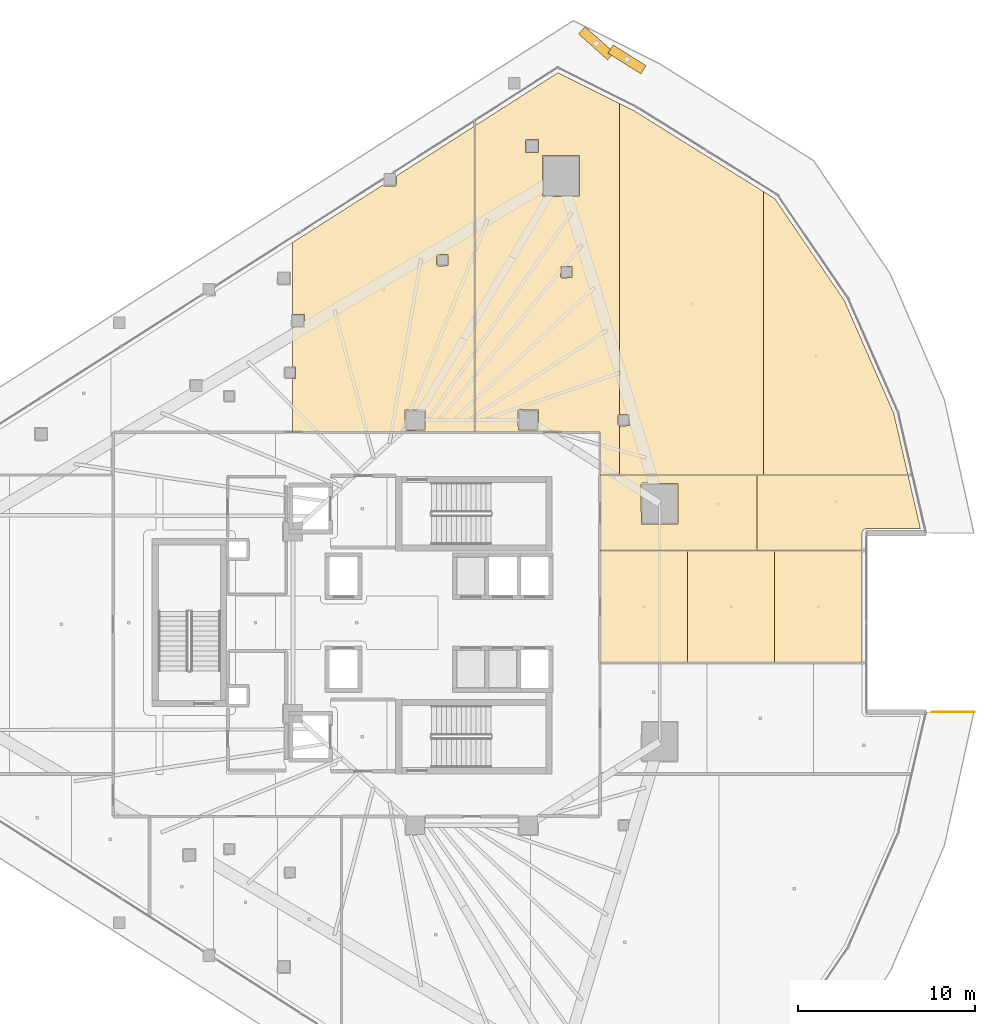
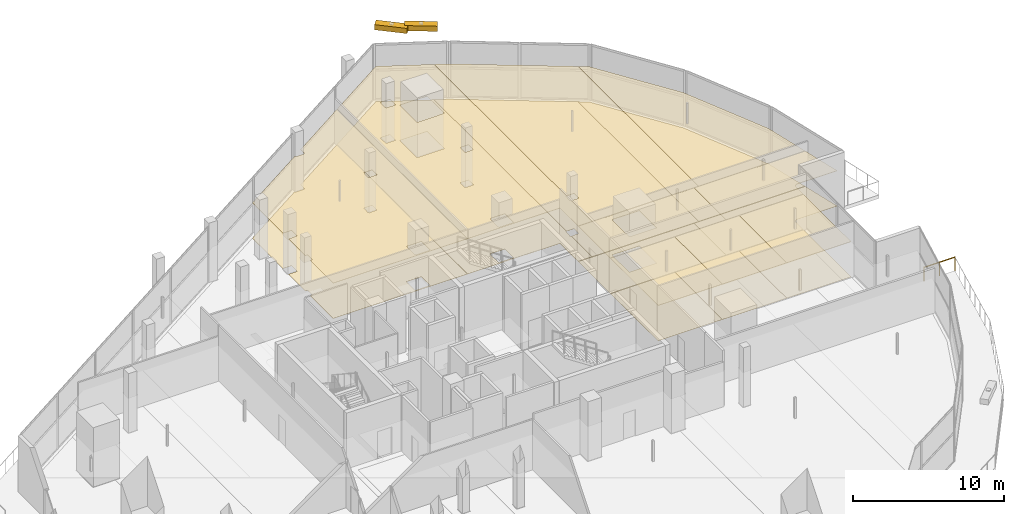
# One storey, part 41 of 42: 18 coverings, 2 shading devices, 1 railing.
"""IFC4 building model written with IfcOpenShell, lengths in metres."""

from ifc_helpers import new_model, si_unit, direction, frame, origin, origin_2d, place, context, subcontext, project, spatial, polyline, rectangle, circle, outline, extrude, material, layer, layer_set, type_object, element, save


model = new_model("IFC4")

# Units and contexts
model_context = context("Model", 3, precision=1e-05, world=origin(), true_north=direction((0.0, 1.0)))
body_context = subcontext(model_context, "Body", "Model", "MODEL_VIEW")
ifc_project = project(units=[si_unit("LENGTHUNIT", "METRE"), si_unit("AREAUNIT", "SQUARE_METRE"), si_unit("VOLUMEUNIT", "CUBIC_METRE"), si_unit("PLANEANGLEUNIT", "RADIAN"), si_unit("MASSUNIT", "GRAM", prefix="KILO")], contexts=[model_context])

# Site, building, storey
site_placement = place(None, origin())
site = spatial("IfcSite", under=ifc_project, at=site_placement, CompositionType="ELEMENT")
building_placement = place(site_placement, origin())
building = spatial("IfcBuilding", under=site, at=building_placement, Name="Qorvath Tower", CompositionType="ELEMENT")
storey_placement = place(building_placement, frame((0.0, 0.0, 105.0)))
storey = spatial("IfcBuildingStorey", under=building, at=storey_placement, Name="L23", CompositionType="ELEMENT", Elevation=105.0)

# Coverings
ifc_material_1 = material(Name="Acoustic mineral fibre ceiling tile", Category="gypsum")
ifc_layer_1 = layer(ifc_material_1, 0.030029296875)
ifc_layer_set_1 = layer_set([ifc_layer_1], Name="COV-CEIL")
covering_type_1 = type_object("IfcCoveringType", Name="COV-CEIL", PredefinedType="CEILING", material=ifc_layer_set_1)
covering_1_placement = place(storey_placement, frame((0.0, 0.0, 2.85009765625)))
element("IfcCovering", 1, at=covering_1_placement, inside=storey, type_object=covering_type_1, Name="L23 Suspended Acoustic Ceiling 010", PredefinedType="CEILING", context=body_context, shape_type="SweptSolid", body=[
    extrude(outline(polyline([(-25.422607421875, 24.73388671875), (-30.519287109375, 21.487548828125), (-30.519287109375, 17.427001953125), (-29.857421875, 17.427001953125), (-29.857421875, 16.692138671875), (-30.519287109375, 16.67529296875), (-30.519287109375, 14.441650390625), (-30.35986328125, 14.441650390625), (-30.35986328125, 13.806884765625), (-30.519287109375, 13.80224609375), (-30.519287109375, 10.762939453125), (-20.23828125, 10.762939453125), (-20.23828125, 28.06787109375), (-24.652587890625, 25.246337890625), (-24.670166015625, 24.69140625), (-25.362548828125, 24.673828125), (-25.422607421875, 24.73388671875)]), holes=[polyline([(-22.38818359375, 20.219970703125), (-22.37060546875, 20.812255859375), (-21.73583984375, 20.812255859375), (-21.73583984375, 20.177490234375), (-22.328125, 20.159912109375), (-22.38818359375, 20.219970703125)]), polyline([(-24.18505859375, 10.925048828125), (-24.16748046875, 12.017333984375), (-23.032470703125, 12.017333984375), (-23.032470703125, 10.882568359375), (-24.125, 10.864990234375), (-24.18505859375, 10.925048828125)])]), origin(), (0.0, 0.0, 1.0), 0.030029296875),
])
covering_2_placement = place(storey_placement, frame((0.0, 0.0, 2.85009765625)))
element("IfcCovering", 2, at=covering_2_placement, inside=storey, type_object=covering_type_1, Name="L23 Suspended Acoustic Ceiling 011", PredefinedType="CEILING", context=body_context, shape_type="SweptSolid", body=[
    extrude(outline(polyline([(-12.0615234375, 8.35498046875), (-12.0615234375, 11.115478515625), (-12.074951171875, 11.114990234375), (-12.135009765625, 11.175048828125), (-12.117431640625, 11.767333984375), (-12.0615234375, 11.767333984375), (-12.0615234375, 29.345458984375), (-15.527587890625, 31.07861328125), (-20.22021484375, 28.079345703125), (-20.22021484375, 10.762939453125), (-13.14208984375, 10.762939453125), (-13.136962890625, 8.35498046875), (-12.0615234375, 8.35498046875)]), holes=[polyline([(-16.404296875, 24.14599609375), (-16.38671875, 26.388427734375), (-14.3017578125, 26.388427734375), (-14.3017578125, 24.103759765625), (-16.34423828125, 24.086181640625), (-16.404296875, 24.14599609375)]), polyline([(-15.381103515625, 19.543212890625), (-15.363525390625, 20.135498046875), (-14.728759765625, 20.135498046875), (-14.728759765625, 19.500732421875), (-15.321044921875, 19.483154296875), (-15.381103515625, 19.543212890625)]), polyline([(-17.3662109375, 27.254150390625), (-17.30615234375, 27.314208984375), (-16.61376953125, 27.296630859375), (-16.61376953125, 26.561767578125), (-17.3486328125, 26.561767578125), (-17.3662109375, 27.254150390625)]), polyline([(-17.784912109375, 11.97509765625), (-17.72509765625, 12.034912109375), (-16.632568359375, 12.017333984375), (-16.632568359375, 10.882568359375), (-17.767333984375, 10.882568359375), (-17.784912109375, 11.97509765625)])]), origin(), (0.0, 0.0, 1.0), 0.030029296875),
])
covering_3_placement = place(storey_placement, frame((0.0, 0.0, 2.85009765625)))
element("IfcCovering", 3, at=covering_3_placement, inside=storey, type_object=covering_type_1, Name="L23 Suspended Acoustic Ceiling 012", PredefinedType="CEILING", context=body_context, shape_type="SweptSolid", body=[
    extrude(outline(polyline([(-3.90283203125, 8.35498046875), (-3.90283203125, 24.36083984375), (-11.18603515625, 28.90771484375), (-12.0615234375, 29.345458984375), (-12.0615234375, 11.767333984375), (-11.482666015625, 11.767333984375), (-11.482666015625, 11.132568359375), (-12.0615234375, 11.115478515625), (-12.0615234375, 8.35498046875), (-3.90283203125, 8.35498046875)])), origin(), (0.0, 0.0, 1.0), 0.030029296875),
])
covering_4_placement = place(storey_placement, frame((0.0, 0.0, 2.85009765625)))
element("IfcCovering", 4, at=covering_4_placement, inside=storey, type_object=covering_type_1, Name="L23 Suspended Acoustic Ceiling 013", PredefinedType="CEILING", context=body_context, shape_type="SweptSolid", body=[
    extrude(outline(polyline([(0.6484375, 18.225341796875), (-3.275634765625, 23.96923828125), (-3.90283203125, 24.36083984375), (-3.90283203125, 8.35498046875), (4.255859375, 8.35498046875), (3.45361328125, 11.8271484375), (0.6484375, 18.225341796875)])), origin(), (0.0, 0.0, 1.0), 0.030029296875),
])
covering_5_placement = place(storey_placement, frame((0.0, 0.0, 2.85009765625)))
element("IfcCovering", 5, at=covering_5_placement, inside=storey, type_object=covering_type_1, Name="L23 Suspended Acoustic Ceiling 025", PredefinedType="CEILING", context=body_context, shape_type="SweptSolid", body=[
    extrude(outline(polyline([(-13.136962890625, -2.25537109375), (-8.2060546875, -2.25537109375), (-8.2060546875, 4.063232421875), (-13.136962890625, 4.063232421875), (-13.136962890625, -2.25537109375)])), origin(), (0.0, 0.0, 1.0), 0.030029296875),
])
covering_6_placement = place(storey_placement, frame((0.0, 0.0, 2.85009765625)))
element("IfcCovering", 6, at=covering_6_placement, inside=storey, type_object=covering_type_1, Name="L23 Suspended Acoustic Ceiling 026", PredefinedType="CEILING", context=body_context, shape_type="SweptSolid", body=[
    extrude(outline(polyline([(-8.2060546875, 4.063232421875), (-8.2060546875, -2.25537109375), (-3.275390625, -2.25537109375), (-3.275390625, 4.063232421875), (-8.2060546875, 4.063232421875)])), origin(), (0.0, 0.0, 1.0), 0.030029296875),
])
covering_7_placement = place(storey_placement, frame((0.0, 0.0, 2.85009765625)))
element("IfcCovering", 7, at=covering_7_placement, inside=storey, type_object=covering_type_1, Name="L23 Suspended Acoustic Ceiling 027", PredefinedType="CEILING", context=body_context, shape_type="SweptSolid", body=[
    extrude(outline(polyline([(-3.275390625, 4.063232421875), (-3.275390625, -2.25537109375), (1.655517578125, -2.25537109375), (1.655517578125, 4.063232421875), (-3.275390625, 4.063232421875)])), origin(), (0.0, 0.0, 1.0), 0.030029296875),
])
covering_8_placement = place(storey_placement, frame((0.0, 0.0, 2.85009765625)))
element("IfcCovering", 8, at=covering_8_placement, inside=storey, type_object=covering_type_1, Name="L23 Suspended Acoustic Ceiling 028", PredefinedType="CEILING", context=body_context, shape_type="SweptSolid", body=[
    extrude(outline(polyline([(-4.266357421875, 4.081298828125), (-4.266357421875, 8.3369140625), (-13.136962890625, 8.3369140625), (-13.136962890625, 4.081298828125), (-4.266357421875, 4.081298828125)]), holes=[polyline([(-10.830322265625, 7.8212890625), (-10.770263671875, 7.88134765625), (-8.727783203125, 7.86376953125), (-8.727783203125, 5.578857421875), (-10.812744140625, 5.578857421875), (-10.830322265625, 7.8212890625)])]), origin(), (0.0, 0.0, 1.0), 0.030029296875),
])
covering_9_placement = place(storey_placement, frame((0.0, 0.0, 2.85009765625)))
element("IfcCovering", 9, at=covering_9_placement, inside=storey, type_object=covering_type_1, Name="L23 Suspended Acoustic Ceiling 029", PredefinedType="CEILING", context=body_context, shape_type="SweptSolid", body=[
    extrude(outline(polyline([(1.75, 5.252197265625), (1.885986328125, 5.30810546875), (4.95947265625, 5.309326171875), (4.260009765625, 8.3369140625), (-4.266357421875, 8.3369140625), (-4.266357421875, 4.081298828125), (1.655517578125, 4.081298828125), (1.660400390625, 5.103271484375), (1.75, 5.252197265625)])), origin(), (0.0, 0.0, 1.0), 0.030029296875),
])
ifc_material_2 = material(Name="Low-VOC modular carpet tile", Category="textile")
ifc_layer_2 = layer(ifc_material_2, 0.014892578125)
ifc_layer_set_2 = layer_set([ifc_layer_2], Name="COV-FLOOR-CPT")
covering_type_2 = type_object("IfcCoveringType", Name="COV-FLOOR-CPT", PredefinedType="FLOORING", material=ifc_layer_set_2)
covering_10_placement = place(storey_placement, origin())
element("IfcCovering", 10, at=covering_10_placement, inside=storey, type_object=covering_type_2, Name="L23 Floor Finish 010", PredefinedType="FLOORING", context=body_context, shape_type="SweptSolid", body=[
    extrude(outline(polyline([(-25.422607421875, 24.73388671875), (-30.519287109375, 21.487548828125), (-30.519287109375, 17.427001953125), (-29.857421875, 17.427001953125), (-29.857421875, 16.692138671875), (-30.519287109375, 16.67529296875), (-30.519287109375, 14.441650390625), (-30.35986328125, 14.441650390625), (-30.35986328125, 13.806884765625), (-30.519287109375, 13.80224609375), (-30.519287109375, 10.762939453125), (-20.23828125, 10.762939453125), (-20.23828125, 28.06787109375), (-24.652587890625, 25.246337890625), (-24.670166015625, 24.69140625), (-25.362548828125, 24.673828125), (-25.422607421875, 24.73388671875)]), holes=[polyline([(-22.38818359375, 20.219970703125), (-22.37060546875, 20.812255859375), (-21.73583984375, 20.812255859375), (-21.73583984375, 20.177490234375), (-22.328125, 20.159912109375), (-22.38818359375, 20.219970703125)]), polyline([(-24.18505859375, 10.925048828125), (-24.16748046875, 12.017333984375), (-23.032470703125, 12.017333984375), (-23.032470703125, 10.882568359375), (-24.125, 10.864990234375), (-24.18505859375, 10.925048828125)])]), origin(), (0.0, 0.0, 1.0), 0.014892578125),
])
covering_11_placement = place(storey_placement, origin())
element("IfcCovering", 11, at=covering_11_placement, inside=storey, type_object=covering_type_2, Name="L23 Floor Finish 011", PredefinedType="FLOORING", context=body_context, shape_type="SweptSolid", body=[
    extrude(outline(polyline([(-12.0615234375, 8.35498046875), (-12.0615234375, 11.115478515625), (-12.074951171875, 11.114990234375), (-12.135009765625, 11.175048828125), (-12.117431640625, 11.767333984375), (-12.0615234375, 11.767333984375), (-12.0615234375, 29.345458984375), (-15.527587890625, 31.07861328125), (-20.22021484375, 28.079345703125), (-20.22021484375, 10.762939453125), (-13.14208984375, 10.762939453125), (-13.136962890625, 8.35498046875), (-12.0615234375, 8.35498046875)]), holes=[polyline([(-16.404296875, 24.14599609375), (-16.38671875, 26.388427734375), (-14.3017578125, 26.388427734375), (-14.3017578125, 24.103759765625), (-16.34423828125, 24.086181640625), (-16.404296875, 24.14599609375)]), polyline([(-15.381103515625, 19.543212890625), (-15.363525390625, 20.135498046875), (-14.728759765625, 20.135498046875), (-14.728759765625, 19.500732421875), (-15.321044921875, 19.483154296875), (-15.381103515625, 19.543212890625)]), polyline([(-17.3662109375, 27.254150390625), (-17.30615234375, 27.314208984375), (-16.61376953125, 27.296630859375), (-16.61376953125, 26.561767578125), (-17.3486328125, 26.561767578125), (-17.3662109375, 27.254150390625)]), polyline([(-17.784912109375, 11.97509765625), (-17.72509765625, 12.034912109375), (-16.632568359375, 12.017333984375), (-16.632568359375, 10.882568359375), (-17.767333984375, 10.882568359375), (-17.784912109375, 11.97509765625)])]), origin(), (0.0, 0.0, 1.0), 0.014892578125),
])
covering_12_placement = place(storey_placement, origin())
element("IfcCovering", 12, at=covering_12_placement, inside=storey, type_object=covering_type_2, Name="L23 Floor Finish 012", PredefinedType="FLOORING", context=body_context, shape_type="SweptSolid", body=[
    extrude(outline(polyline([(-3.90283203125, 8.35498046875), (-3.90283203125, 24.36083984375), (-11.18603515625, 28.90771484375), (-12.0615234375, 29.345458984375), (-12.0615234375, 11.767333984375), (-11.482666015625, 11.767333984375), (-11.482666015625, 11.132568359375), (-12.0615234375, 11.115478515625), (-12.0615234375, 8.35498046875), (-3.90283203125, 8.35498046875)])), origin(), (0.0, 0.0, 1.0), 0.014892578125),
])
covering_13_placement = place(storey_placement, origin())
element("IfcCovering", 13, at=covering_13_placement, inside=storey, type_object=covering_type_2, Name="L23 Floor Finish 013", PredefinedType="FLOORING", context=body_context, shape_type="SweptSolid", body=[
    extrude(outline(polyline([(0.6484375, 18.225341796875), (-3.275634765625, 23.96923828125), (-3.90283203125, 24.36083984375), (-3.90283203125, 8.35498046875), (4.255859375, 8.35498046875), (3.45361328125, 11.8271484375), (0.6484375, 18.225341796875)])), origin(), (0.0, 0.0, 1.0), 0.014892578125),
])
covering_14_placement = place(storey_placement, origin())
element("IfcCovering", 14, at=covering_14_placement, inside=storey, type_object=covering_type_2, Name="L23 Floor Finish 025", PredefinedType="FLOORING", context=body_context, shape_type="SweptSolid", body=[
    extrude(outline(polyline([(-13.136962890625, -2.25537109375), (-8.2060546875, -2.25537109375), (-8.2060546875, 4.063232421875), (-13.136962890625, 4.063232421875), (-13.136962890625, -2.25537109375)])), origin(), (0.0, 0.0, 1.0), 0.014892578125),
])
covering_15_placement = place(storey_placement, origin())
element("IfcCovering", 15, at=covering_15_placement, inside=storey, type_object=covering_type_2, Name="L23 Floor Finish 026", PredefinedType="FLOORING", context=body_context, shape_type="SweptSolid", body=[
    extrude(outline(polyline([(-8.2060546875, 4.063232421875), (-8.2060546875, -2.25537109375), (-3.275390625, -2.25537109375), (-3.275390625, 4.063232421875), (-8.2060546875, 4.063232421875)])), origin(), (0.0, 0.0, 1.0), 0.014892578125),
])
covering_16_placement = place(storey_placement, origin())
element("IfcCovering", 16, at=covering_16_placement, inside=storey, type_object=covering_type_2, Name="L23 Floor Finish 027", PredefinedType="FLOORING", context=body_context, shape_type="SweptSolid", body=[
    extrude(outline(polyline([(-3.275390625, 4.063232421875), (-3.275390625, -2.25537109375), (1.655517578125, -2.25537109375), (1.655517578125, 4.063232421875), (-3.275390625, 4.063232421875)])), origin(), (0.0, 0.0, 1.0), 0.014892578125),
])
covering_17_placement = place(storey_placement, origin())
element("IfcCovering", 17, at=covering_17_placement, inside=storey, type_object=covering_type_2, Name="L23 Floor Finish 028", PredefinedType="FLOORING", context=body_context, shape_type="SweptSolid", body=[
    extrude(outline(polyline([(-4.266357421875, 4.081298828125), (-4.266357421875, 8.3369140625), (-13.136962890625, 8.3369140625), (-13.136962890625, 4.081298828125), (-4.266357421875, 4.081298828125)]), holes=[polyline([(-10.830322265625, 7.8212890625), (-10.770263671875, 7.88134765625), (-8.727783203125, 7.86376953125), (-8.727783203125, 5.578857421875), (-10.812744140625, 5.578857421875), (-10.830322265625, 7.8212890625)])]), origin(), (0.0, 0.0, 1.0), 0.014892578125),
])
covering_18_placement = place(storey_placement, origin())
element("IfcCovering", 18, at=covering_18_placement, inside=storey, type_object=covering_type_2, Name="L23 Floor Finish 029", PredefinedType="FLOORING", context=body_context, shape_type="SweptSolid", body=[
    extrude(outline(polyline([(1.75, 5.252197265625), (1.885986328125, 5.30810546875), (4.95947265625, 5.309326171875), (4.260009765625, 8.3369140625), (-4.266357421875, 8.3369140625), (-4.266357421875, 4.081298828125), (1.655517578125, 4.081298828125), (1.660400390625, 5.103271484375), (1.75, 5.252197265625)])), origin(), (0.0, 0.0, 1.0), 0.014892578125),
])

# Railing
ifc_material_3 = material(Name="Laminated safety glass and stainless steel AISI 316", Category="steel")
railing_type = type_object("IfcRailingType", Name="RL-EXT-GRD", PredefinedType="GUARDRAIL", material=ifc_material_3)
railing_placement = place(storey_placement, frame((5.629638671875, -5.054443359375, 0.0)))
element("IfcRailing", 19, at=railing_placement, inside=storey, type_object=railing_type, Name="Loggia Perimeter Guardrail L23-1.2", PredefinedType="GUARDRAIL", context=body_context, shape_type="SweptSolid", body=[
    extrude(circle(Radius=0.02392578125, at=origin_2d()), frame((0.0, 0.0, 1.09619140625), z_axis=(1.0, 0.0, 0.0), x_axis=(0.0, 1.0, 0.0)), (0.0, 0.0, 1.0), 2.366455078125),
    extrude(circle(Radius=0.02099609375, at=origin_2d()), origin(), (0.0, 0.0, 1.0), 1.072021484375),
    extrude(circle(Radius=0.02099609375, at=origin_2d()), frame((1.18310546875, 0.0, 0.0)), (0.0, 0.0, 1.0), 1.072021484375),
    extrude(circle(Radius=0.02099609375, at=origin_2d()), frame((2.366455078125, 0.0, 0.0)), (0.0, 0.0, 1.0), 1.072021484375),
])

# Shading devices
ifc_material_4 = material(Name="Anodised bronze-champagne aluminium", Category="aluminium")
shading_device_type = type_object("IfcShadingDeviceType", Name="SD-LOUVRE", PredefinedType="JALOUSIE", material=ifc_material_4)
for number, where, z_axis, x_axis, name in (
    (20, (-11.623291015625, 31.8330078125, 4.10009765625), (0.0, 0.0, 1.0), (-0.846518523819, 0.53235926669, 0.0), "Sinusoidal Wave Louvre Blade L23-03"),
    (21, (-13.3564453125, 32.743408203125, 4.10009765625), (0.0, 0.0, 1.0), (-0.74890714619, 0.662674947757, 0.0), "Sinusoidal Wave Louvre Blade L23-04"),
):
    element("IfcShadingDevice", number, at=place(storey_placement, frame(where, z_axis=z_axis, x_axis=x_axis)), inside=storey, type_object=shading_device_type, Name=name, PredefinedType="NOTDEFINED", context=body_context, shape_type="SweptSolid", body=[
        extrude(rectangle(XDim=2.199951171875, YDim=0.550048828125, at=origin_2d()), origin(), (0.0, 0.0, 1.0), 0.419921875),
    ])

save(model, "model.ifc")
